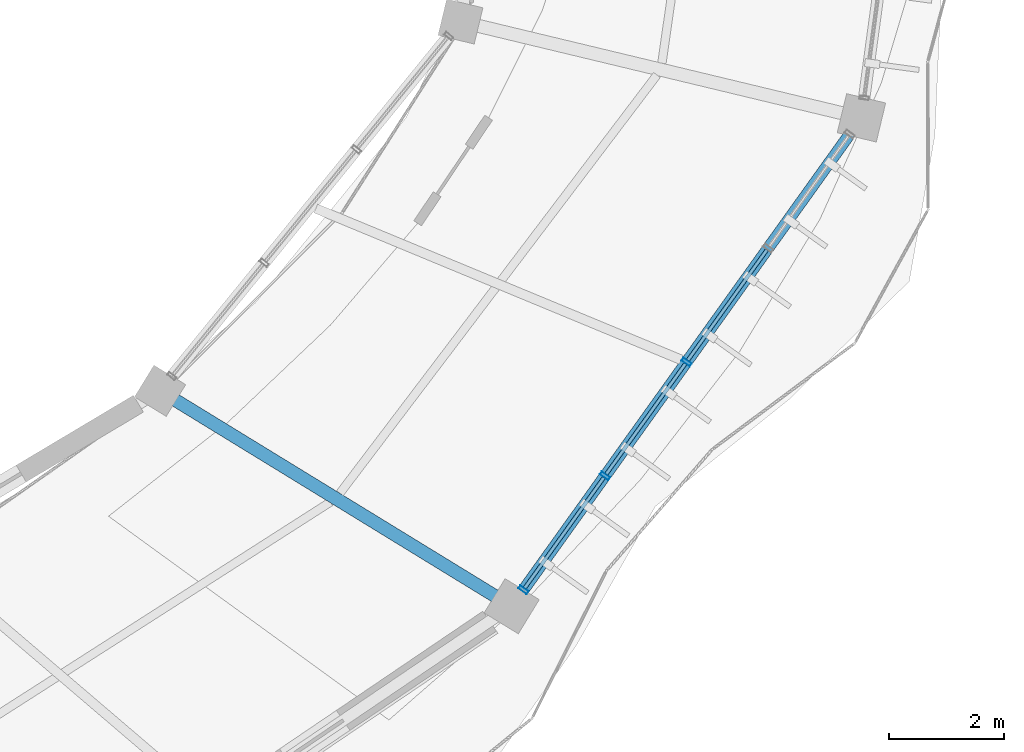
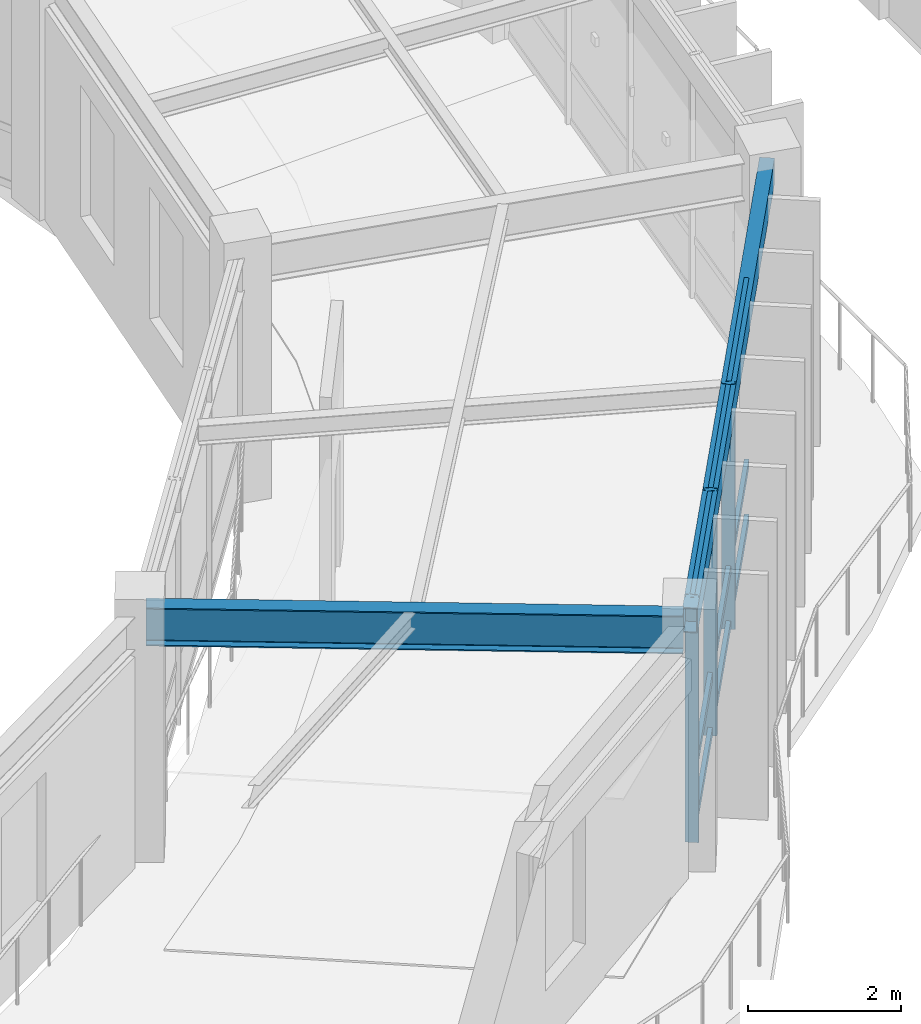
# One storey, part 86 of 138: 12 members, 2 beams, 1 element without a shape of its own.
"""IFC4 building model written with IfcOpenShell, lengths in metres."""

from ifc_helpers import new_model, si_unit, direction, frame, origin, origin_2d, place, context, subcontext, project, spatial, hollow_rectangle, i_section, extrude, material, material_profile, profile_set, type_object, element, aggregate, save


model = new_model("IFC4")

# Units and contexts
model_context = context("Model", 3, precision=1e-05, world=origin(), true_north=direction((0.0, 1.0)))
body_context = subcontext(model_context, "Body", "Model", "MODEL_VIEW")
ifc_project = project(units=[si_unit("LENGTHUNIT", "METRE"), si_unit("AREAUNIT", "SQUARE_METRE"), si_unit("VOLUMEUNIT", "CUBIC_METRE"), si_unit("PLANEANGLEUNIT", "RADIAN"), si_unit("MASSUNIT", "GRAM", prefix="KILO"), si_unit("THERMODYNAMICTEMPERATUREUNIT", "KELVIN"), si_unit("POWERUNIT", "WATT")], contexts=[model_context])

# Site, building, storey
site_placement = place(None, origin())
site = spatial("IfcSite", under=ifc_project, at=site_placement, CompositionType="ELEMENT")
building_placement = place(site_placement, origin())
building = spatial("IfcBuilding", under=site, at=building_placement, Name="Darbajah Civic Hall", CompositionType="ELEMENT")
storey_placement = place(building_placement, frame((0.0, 0.0, 9.60009765625)))
storey = spatial("IfcBuildingStorey", under=building, at=storey_placement, Name="L02", CompositionType="ELEMENT", Elevation=9.60009765625)

# Curtain wall, members
ifc_material_1 = material(Name="Anodised Bronze Aluminium and Low-E Glazing", Category="aluminium")
curtain_wall_type = type_object("IfcCurtainWallType", Name="Unitised Curtain Wall CW-51 9800x3900", PredefinedType="USERDEFINED", material=ifc_material_1)
curtain_wall_placement = place(storey_placement, origin())
curtain_wall = element("IfcCurtainWall", 1, at=curtain_wall_placement, inside=storey, type_object=curtain_wall_type, Name="L02 unitised curtain wall CW-V1O-L02-18", ObjectType="UNITISED CURTAIN WALL", PredefinedType="USERDEFINED")
ifc_material_2 = material(Name="Anodised Bronze Aluminium", Category="aluminium")
ifc_material_profile_1 = material_profile(ifc_material_2, hollow_rectangle(XDim=0.06494140625, YDim=0.179931640625, WallThickness=0.00390625, at=origin_2d()), Name="ALU MULLION 65x180")
ifc_profile_set_1 = profile_set([ifc_material_profile_1], Name="Anodised Bronze Aluminium")
member_type_1 = type_object("IfcMemberType", Name="ALU MULLION 65x180", PredefinedType="MULLION", material=ifc_profile_set_1)
member_1_placement = place(storey_placement, frame((132.78955078125, 74.672607421875, 0.0), z_axis=(0.0, 0.0, 1.0), x_axis=(0.582264874145, 0.812999149039, 0.0)))
member_1 = element("IfcMember", 2, at=member_1_placement, type_object=member_type_1, Name="CW-V1O-L02-18 mullion 1", PredefinedType="MULLION", context=body_context, shape_type="SweptSolid", body=[
    extrude(hollow_rectangle(XDim=0.06494140625, YDim=0.179931640625, WallThickness=0.00390625, at=origin_2d()), origin(), (0.0, 0.0, 1.0), 3.919921875),
])
member_2_placement = place(storey_placement, frame((134.213623046875, 76.6611328125, 0.0), z_axis=(0.0, 0.0, 1.0), x_axis=(0.582264874145, 0.812999149039, 0.0)))
member_2 = element("IfcMember", 3, at=member_2_placement, type_object=member_type_1, Name="CW-V1O-L02-18 mullion 2", PredefinedType="MULLION", context=body_context, shape_type="SweptSolid", body=[
    extrude(hollow_rectangle(XDim=0.06494140625, YDim=0.179931640625, WallThickness=0.00390625, at=origin_2d()), origin(), (0.0, 0.0, 1.0), 3.919921875),
])
member_3_placement = place(storey_placement, frame((135.6376953125, 78.64990234375, 0.0), z_axis=(0.0, 0.0, 1.0), x_axis=(0.582264874145, 0.812999149039, 0.0)))
member_3 = element("IfcMember", 4, at=member_3_placement, type_object=member_type_1, Name="CW-V1O-L02-18 mullion 3", PredefinedType="MULLION", context=body_context, shape_type="SweptSolid", body=[
    extrude(hollow_rectangle(XDim=0.06494140625, YDim=0.179931640625, WallThickness=0.00390625, at=origin_2d()), origin(), (0.0, 0.0, 1.0), 3.919921875),
])
ifc_material_profile_2 = material_profile(ifc_material_2, hollow_rectangle(XDim=0.06494140625, YDim=0.139892578125, WallThickness=0.00341796875, at=origin_2d()), Name="ALU TRANSOM 65x140")
ifc_profile_set_2 = profile_set([ifc_material_profile_2], Name="Anodised Bronze Aluminium")
member_type_2 = type_object("IfcMemberType", Name="ALU TRANSOM 65x140", PredefinedType="USERDEFINED", material=ifc_profile_set_2)
member_4_placement = place(storey_placement, frame((132.811279296875, 74.702880859375, 0.06982421875), z_axis=(0.582260415899, 0.813002341987, 0.0), x_axis=(-0.813002341987, 0.582260415899, 0.0)))
member_4 = element("IfcMember", 5, at=member_4_placement, type_object=member_type_2, Name="CW-V1O-L02-18 transom 1.1", ObjectType="TRANSOM", PredefinedType="USERDEFINED", context=body_context, shape_type="SweptSolid", body=[
    extrude(hollow_rectangle(XDim=0.06494140625, YDim=0.139892578125, WallThickness=0.00341796875, at=origin_2d()), origin(), (0.0, 0.0, 1.0), 2.37109375),
])
member_5_placement = place(storey_placement, frame((132.811279296875, 74.702880859375, 0.949951171875), z_axis=(0.582260415899, 0.813002341987, 0.0), x_axis=(-0.813002341987, 0.582260415899, 0.0)))
member_5 = element("IfcMember", 6, at=member_5_placement, type_object=member_type_2, Name="CW-V1O-L02-18 transom 1.2", ObjectType="TRANSOM", PredefinedType="USERDEFINED", context=body_context, shape_type="SweptSolid", body=[
    extrude(hollow_rectangle(XDim=0.06494140625, YDim=0.139892578125, WallThickness=0.00341796875, at=origin_2d()), origin(), (0.0, 0.0, 1.0), 2.37109375),
])
member_6_placement = place(storey_placement, frame((132.811279296875, 74.702880859375, 3.849853515625), z_axis=(0.582260415899, 0.813002341987, 0.0), x_axis=(-0.813002341987, 0.582260415899, 0.0)))
member_6 = element("IfcMember", 7, at=member_6_placement, type_object=member_type_2, Name="CW-V1O-L02-18 transom 1.3", ObjectType="TRANSOM", PredefinedType="USERDEFINED", context=body_context, shape_type="SweptSolid", body=[
    extrude(hollow_rectangle(XDim=0.06494140625, YDim=0.139892578125, WallThickness=0.00341796875, at=origin_2d()), origin(), (0.0, 0.0, 1.0), 2.37109375),
])
member_7_placement = place(storey_placement, frame((134.235595703125, 76.691650390625, 0.06982421875), z_axis=(0.582192353492, 0.81305108298, 0.0), x_axis=(-0.81305108298, 0.582192353492, 0.0)))
member_7 = element("IfcMember", 8, at=member_7_placement, type_object=member_type_2, Name="CW-V1O-L02-18 transom 2.1", ObjectType="TRANSOM", PredefinedType="USERDEFINED", context=body_context, shape_type="SweptSolid", body=[
    extrude(hollow_rectangle(XDim=0.06494140625, YDim=0.139892578125, WallThickness=0.00341796875, at=origin_2d()), origin(), (0.0, 0.0, 1.0), 2.37109375),
])
member_8_placement = place(storey_placement, frame((134.235595703125, 76.691650390625, 0.949951171875), z_axis=(0.582192353492, 0.81305108298, 0.0), x_axis=(-0.81305108298, 0.582192353492, 0.0)))
member_8 = element("IfcMember", 9, at=member_8_placement, type_object=member_type_2, Name="CW-V1O-L02-18 transom 2.2", ObjectType="TRANSOM", PredefinedType="USERDEFINED", context=body_context, shape_type="SweptSolid", body=[
    extrude(hollow_rectangle(XDim=0.06494140625, YDim=0.139892578125, WallThickness=0.00341796875, at=origin_2d()), origin(), (0.0, 0.0, 1.0), 2.37109375),
])
member_9_placement = place(storey_placement, frame((134.235595703125, 76.691650390625, 3.849853515625), z_axis=(0.582192353492, 0.81305108298, 0.0), x_axis=(-0.81305108298, 0.582192353492, 0.0)))
member_9 = element("IfcMember", 10, at=member_9_placement, type_object=member_type_2, Name="CW-V1O-L02-18 transom 2.3", ObjectType="TRANSOM", PredefinedType="USERDEFINED", context=body_context, shape_type="SweptSolid", body=[
    extrude(hollow_rectangle(XDim=0.06494140625, YDim=0.139892578125, WallThickness=0.00341796875, at=origin_2d()), origin(), (0.0, 0.0, 1.0), 2.37109375),
])
member_10_placement = place(storey_placement, frame((135.65966796875, 78.680419921875, 0.06982421875), z_axis=(0.582241097592, 0.81301617713, 0.0), x_axis=(-0.81301617713, 0.582241097592, 0.0)))
member_10 = element("IfcMember", 11, at=member_10_placement, type_object=member_type_2, Name="CW-V1O-L02-18 transom 3.1", ObjectType="TRANSOM", PredefinedType="USERDEFINED", context=body_context, shape_type="SweptSolid", body=[
    extrude(hollow_rectangle(XDim=0.06494140625, YDim=0.139892578125, WallThickness=0.00341796875, at=origin_2d()), origin(), (0.0, 0.0, 1.0), 2.370849609375),
])
member_11_placement = place(storey_placement, frame((135.65966796875, 78.680419921875, 0.949951171875), z_axis=(0.582241097592, 0.81301617713, 0.0), x_axis=(-0.81301617713, 0.582241097592, 0.0)))
member_11 = element("IfcMember", 12, at=member_11_placement, type_object=member_type_2, Name="CW-V1O-L02-18 transom 3.2", ObjectType="TRANSOM", PredefinedType="USERDEFINED", context=body_context, shape_type="SweptSolid", body=[
    extrude(hollow_rectangle(XDim=0.06494140625, YDim=0.139892578125, WallThickness=0.00341796875, at=origin_2d()), origin(), (0.0, 0.0, 1.0), 2.370849609375),
])
member_12_placement = place(storey_placement, frame((135.65966796875, 78.680419921875, 3.849853515625), z_axis=(0.582241097592, 0.81301617713, 0.0), x_axis=(-0.81301617713, 0.582241097592, 0.0)))
member_12 = element("IfcMember", 13, at=member_12_placement, type_object=member_type_2, Name="CW-V1O-L02-18 transom 3.3", ObjectType="TRANSOM", PredefinedType="USERDEFINED", context=body_context, shape_type="SweptSolid", body=[
    extrude(hollow_rectangle(XDim=0.06494140625, YDim=0.139892578125, WallThickness=0.00341796875, at=origin_2d()), origin(), (0.0, 0.0, 1.0), 2.370849609375),
])
aggregate(curtain_wall, [member_1, member_2, member_3, member_4, member_5, member_6, member_7, member_8, member_9, member_10, member_11, member_12])

# Beams
ifc_material_3 = material(Name="Steel S355JR", Category="steel")
ifc_material_profile_3 = material_profile(ifc_material_3, hollow_rectangle(XDim=0.199951171875, YDim=0.39990234375, WallThickness=0.013916015625, at=origin_2d()), Name="RHS 400x200x14")
ifc_profile_set_3 = profile_set([ifc_material_profile_3], Name="Steel S355JR")
beam_type_1 = type_object("IfcBeamType", Name="RHS 400x200x14", PredefinedType="SPANDREL", material=ifc_profile_set_3)
beam_1_placement = place(storey_placement, frame((132.631103515625, 74.451416015625, 3.719970703125), z_axis=(0.58222165068, 0.813030103674, 0.0), x_axis=(-0.813030103674, 0.58222165068, 0.0)))
element("IfcBeam", 14, at=beam_1_placement, inside=storey, type_object=beam_type_1, Name="L02 beam SP-RHS400", PredefinedType="SPANDREL", context=body_context, shape_type="SweptSolid", body=[
    extrude(hollow_rectangle(XDim=0.199951171875, YDim=0.39990234375, WallThickness=0.013916015625, at=origin_2d()), origin(), (0.0, 0.0, 1.0), 10.327880859375),
])
ifc_material_profile_4 = material_profile(ifc_material_3, i_section(OverallWidth=0.228271484375, OverallDepth=0.607666015625, WebThickness=0.010986328125, FlangeThickness=0.017333984375, FilletRadius=0.0126953125, at=origin_2d()), Name="UB 610x229x113")
ifc_profile_set_4 = profile_set([ifc_material_profile_4], Name="Steel S355JR")
beam_type_2 = type_object("IfcBeamType", Name="UB 610x229x113", PredefinedType="BEAM", material=ifc_profile_set_4)
beam_2_placement = place(storey_placement, frame((126.513916015625, 78.1064453125, 3.6162109375), z_axis=(0.852629661041, -0.522515704178, 0.0), x_axis=(0.522515704178, 0.852629661041, 0.0)))
element("IfcBeam", 15, at=beam_2_placement, inside=storey, type_object=beam_type_2, Name="L02 beam SB-610", PredefinedType="BEAM", context=body_context, shape_type="SweptSolid", body=[
    extrude(i_section(OverallWidth=0.228271484375, OverallDepth=0.607666015625, WebThickness=0.010986328125, FlangeThickness=0.017333984375, FilletRadius=0.0126953125, at=origin_2d()), origin(), (0.0, 0.0, 1.0), 7.039794921875),
])

save(model, "model.ifc")
